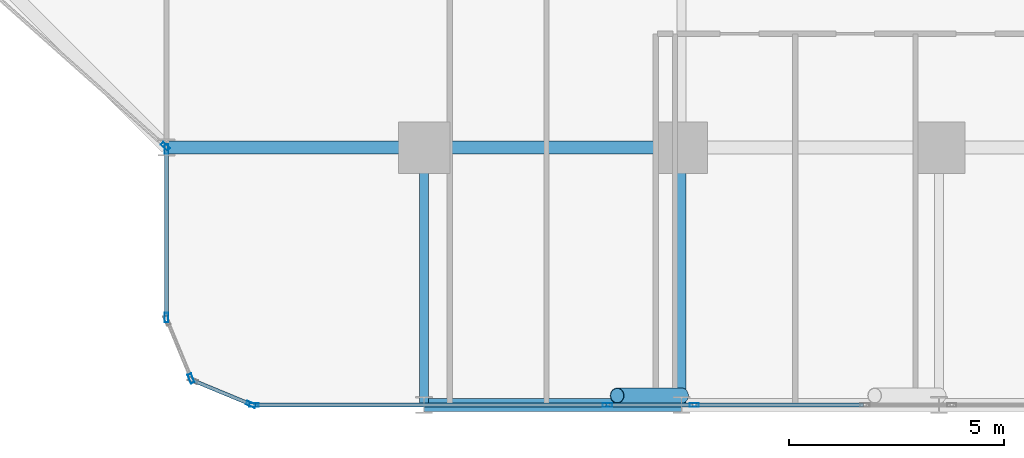
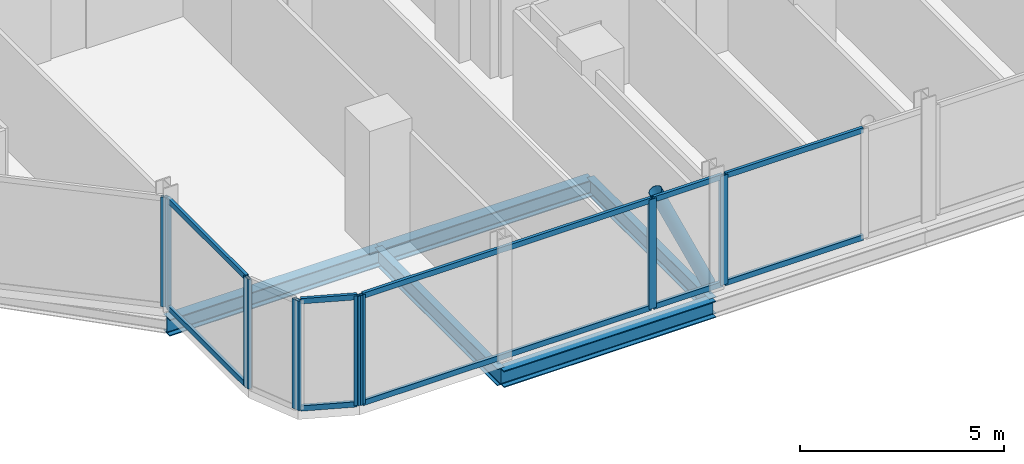
# One storey, part 4 of 33: 19 members, 5 beams, 7 elements without a shape of their own.
"""IFC4 building model written with IfcOpenShell, lengths in metres."""

from ifc_helpers import new_model, si_unit, direction, frame, origin, origin_2d, place, context, subcontext, project, spatial, hollow_rectangle, hollow_circle, i_section, extrude, material, layer, layer_set, material_profile, profile_set, type_object, element, aggregate, save


model = new_model("IFC4")

# Units and contexts
model_context = context("Model", 3, precision=1e-05, world=origin(), true_north=direction((0.0, 1.0)))
body_context = subcontext(model_context, "Body", "Model", "MODEL_VIEW")
ifc_project = project(units=[si_unit("LENGTHUNIT", "METRE"), si_unit("AREAUNIT", "SQUARE_METRE"), si_unit("VOLUMEUNIT", "CUBIC_METRE"), si_unit("PLANEANGLEUNIT", "RADIAN"), si_unit("MASSUNIT", "GRAM", prefix="KILO")], contexts=[model_context])

# Site, building, storey
site_placement = place(None, origin())
site = spatial("IfcSite", under=ifc_project, at=site_placement, CompositionType="ELEMENT")
building_placement = place(site_placement, origin())
building = spatial("IfcBuilding", under=site, at=building_placement, Name="Keshet Zoharim Tower", CompositionType="ELEMENT")
storey_placement = place(building_placement, frame((0.0, 0.0, 57.300048828125)))
storey = spatial("IfcBuildingStorey", under=building, at=storey_placement, Name="L13", CompositionType="ELEMENT", Elevation=57.300048828125)

# Beams
ifc_material_1 = material(Name="Steel S355", Category="steel")
ifc_material_profile_1 = material_profile(ifc_material_1, i_section(OverallWidth=0.199951171875, OverallDepth=0.5, WebThickness=0.01025390625, FlangeThickness=0.01611328125, FilletRadius=0.02099609375, at=origin_2d()), Name="IPE500")
ifc_profile_set_1 = profile_set([ifc_material_profile_1], Name="Steel S355")
beam_type_1 = type_object("IfcBeamType", Name="BM-PRI-IP500", PredefinedType="BEAM", material=ifc_profile_set_1)
for number, where, z_axis, x_axis, name in (
    (1, (27.0, 0.699951171875, -0.56494140625), (0.0, 1.0, 0.0), (-1.0, 0.0, 0.0), "L13 Primary Girder Y-004"),
    (2, (33.0, 0.699951171875, -0.56494140625), (0.0, 1.0, 0.0), (-1.0, 0.0, 0.0), "L13 Primary Girder Y-005"),
):
    element("IfcBeam", number, at=place(storey_placement, frame(where, z_axis=z_axis, x_axis=x_axis)), inside=storey, type_object=beam_type_1, Name=name, PredefinedType="BEAM", context=body_context, shape_type="SweptSolid", body=[
        extrude(i_section(OverallWidth=0.199951171875, OverallDepth=0.5, WebThickness=0.01025390625, FlangeThickness=0.01611328125, FilletRadius=0.02099609375, at=origin_2d()), origin(), (0.0, 0.0, 1.0), 6.0),
    ])
ifc_material_profile_2 = material_profile(ifc_material_1, i_section(OverallWidth=0.300048828125, OverallDepth=0.5, WebThickness=0.014404296875, FlangeThickness=0.028076171875, FilletRadius=0.027099609375, at=origin_2d()), Name="HEB500")
ifc_profile_set_2 = profile_set([ifc_material_profile_2], Name="Steel S355")
beam_type_2 = type_object("IfcBeamType", Name="BM-WEB-HB500", PredefinedType="BEAM", material=ifc_profile_set_2)
for number, where, z_axis, x_axis, name in (
    (3, (27.0, 0.699951171875, -0.56494140625), (1.0, 0.0, 0.0), (0.0, 1.0, 0.0), "L13 Primary Girder X-001"),
    (4, (21.0, 6.699951171875, -0.56494140625), (1.0, 0.0, 0.0), (0.0, 1.0, 0.0), "L13 Primary Girder X-006"),
    (5, (27.0, 6.699951171875, -0.56494140625), (1.0, 0.0, 0.0), (0.0, 1.0, 0.0), "L13 Primary Girder X-007"),
):
    element("IfcBeam", number, at=place(storey_placement, frame(where, z_axis=z_axis, x_axis=x_axis)), inside=storey, type_object=beam_type_2, Name=name, PredefinedType="BEAM", context=body_context, shape_type="SweptSolid", body=[
        extrude(i_section(OverallWidth=0.300048828125, OverallDepth=0.5, WebThickness=0.014404296875, FlangeThickness=0.028076171875, FilletRadius=0.027099609375, at=origin_2d()), origin(), (0.0, 0.0, 1.0), 6.0),
    ])

# Curtain wall, member
ifc_material_2 = material(Name="Aluminium 6063-T6", Category="aluminium")
ifc_layer = layer(ifc_material_2, 0.179931640625)
ifc_layer_set = layer_set([ifc_layer], Name="Aluminium 6063-T6")
curtain_wall_type = type_object("IfcCurtainWallType", Name="CW-SYS-01", PredefinedType="NOTDEFINED", material=ifc_layer_set)
curtain_wall_1_placement = place(storey_placement, origin())
curtain_wall_1 = element("IfcCurtainWall", 6, at=curtain_wall_1_placement, inside=storey, type_object=curtain_wall_type, Name="L13 Unitised Curtain Wall 01", PredefinedType="NOTDEFINED")
ifc_material_profile_3 = material_profile(ifc_material_2, hollow_rectangle(XDim=0.090087890625, YDim=0.219970703125, WallThickness=0.0048828125, at=origin_2d()), Name="MUL-90x220")
ifc_profile_set_3 = profile_set([ifc_material_profile_3], Name="Aluminium 6063-T6")
member_type_1 = type_object("IfcMemberType", Name="CWM-M22", PredefinedType="MULLION", material=ifc_profile_set_3)
member_1_placement = place(storey_placement, frame((20.973876953125, 6.72314453125, 0.0), z_axis=(0.0, 0.0, 1.0), x_axis=(-0.664363838836, -0.747409318679, 0.0)))
member_1 = element("IfcMember", 7, at=member_1_placement, type_object=member_type_1, Name="CW-01 mullion 1", PredefinedType="MULLION", context=body_context, shape_type="SweptSolid", body=[
    extrude(hollow_rectangle(XDim=0.090087890625, YDim=0.219970703125, WallThickness=0.0048828125, at=origin_2d()), origin(), (0.0, 0.0, 1.0), 3.280029296875),
])
aggregate(curtain_wall_1, [member_1])

curtain_wall_2_placement = place(storey_placement, origin())
curtain_wall_2 = element("IfcCurtainWall", 8, at=curtain_wall_2_placement, inside=storey, type_object=curtain_wall_type, Name="L13 Unitised Curtain Wall 26 Part 3", PredefinedType="NOTDEFINED")
member_2_placement = place(storey_placement, frame((33.296630859375, 0.699951171875, 0.0), z_axis=(0.0, 0.0, 1.0), x_axis=(0.0, -1.0, 0.0)))
member_2 = element("IfcMember", 9, at=member_2_placement, type_object=member_type_1, Name="CW-01 mullion 2", PredefinedType="MULLION", context=body_context, shape_type="SweptSolid", body=[
    extrude(hollow_rectangle(XDim=0.090087890625, YDim=0.219970703125, WallThickness=0.0048828125, at=origin_2d()), origin(), (0.0, 0.0, 1.0), 3.280029296875),
])

curtain_wall_3_placement = place(storey_placement, origin())
curtain_wall_3 = element("IfcCurtainWall", 10, at=curtain_wall_3_placement, inside=storey, type_object=curtain_wall_type, Name="L13 Unitised Curtain Wall 26 Part 4", PredefinedType="NOTDEFINED")
member_3_placement = place(storey_placement, frame((31.273193359375, 0.699951171875, 0.0), z_axis=(0.0, 0.0, 1.0), x_axis=(0.0, -1.0, 0.0)))
member_3 = element("IfcMember", 11, at=member_3_placement, type_object=member_type_1, Name="CW-01 mullion 2", PredefinedType="MULLION", context=body_context, shape_type="SweptSolid", body=[
    extrude(hollow_rectangle(XDim=0.090087890625, YDim=0.219970703125, WallThickness=0.0048828125, at=origin_2d()), origin(), (0.0, 0.0, 1.0), 3.280029296875),
])

curtain_wall_4_placement = place(storey_placement, origin())
curtain_wall_4 = element("IfcCurtainWall", 12, at=curtain_wall_4_placement, inside=storey, type_object=curtain_wall_type, Name="L13 Unitised Curtain Wall 26 Part 5", PredefinedType="NOTDEFINED")
member_4_placement = place(storey_placement, frame((23.034912109375, 0.699951171875, 0.0), z_axis=(0.0, 0.0, 1.0), x_axis=(0.0, -1.0, 0.0)))
member_4 = element("IfcMember", 13, at=member_4_placement, type_object=member_type_1, Name="CW-01 mullion 2", PredefinedType="MULLION", context=body_context, shape_type="SweptSolid", body=[
    extrude(hollow_rectangle(XDim=0.090087890625, YDim=0.219970703125, WallThickness=0.0048828125, at=origin_2d()), origin(), (0.0, 0.0, 1.0), 3.280029296875),
])

curtain_wall_5_placement = place(storey_placement, origin())
curtain_wall_5 = element("IfcCurtainWall", 14, at=curtain_wall_5_placement, inside=storey, type_object=curtain_wall_type, Name="L13 Unitised Curtain Wall 27", PredefinedType="NOTDEFINED")
member_5_placement = place(storey_placement, frame((22.9677734375, 0.71337890625, 0.0), z_axis=(0.0, 0.0, 1.0), x_axis=(-0.382851849847, -0.92380975372, 0.0)))
member_5 = element("IfcMember", 15, at=member_5_placement, type_object=member_type_1, Name="CW-01 mullion 1", PredefinedType="MULLION", context=body_context, shape_type="SweptSolid", body=[
    extrude(hollow_rectangle(XDim=0.090087890625, YDim=0.219970703125, WallThickness=0.0048828125, at=origin_2d()), origin(), (0.0, 0.0, 1.0), 3.280029296875),
])

curtain_wall_6_placement = place(storey_placement, origin())
curtain_wall_6 = element("IfcCurtainWall", 16, at=curtain_wall_6_placement, inside=storey, type_object=curtain_wall_type, Name="L13 Unitised Curtain Wall 28", PredefinedType="NOTDEFINED")
member_6_placement = place(storey_placement, frame((21.572509765625, 1.318359375, 0.0), z_axis=(0.0, 0.0, 1.0), x_axis=(-0.92380975372, -0.382851849847, 0.0)))
member_6 = element("IfcMember", 17, at=member_6_placement, type_object=member_type_1, Name="CW-01 mullion 1", PredefinedType="MULLION", context=body_context, shape_type="SweptSolid", body=[
    extrude(hollow_rectangle(XDim=0.090087890625, YDim=0.219970703125, WallThickness=0.0048828125, at=origin_2d()), origin(), (0.0, 0.0, 1.0), 3.280029296875),
])
aggregate(curtain_wall_6, [member_6])

# Curtain wall, members
curtain_wall_7_placement = place(storey_placement, origin())
curtain_wall_7 = element("IfcCurtainWall", 18, at=curtain_wall_7_placement, inside=storey, type_object=curtain_wall_type, Name="L13 Unitised Curtain Wall 29", PredefinedType="NOTDEFINED")
member_7_placement = place(storey_placement, frame((21.0, 2.735107421875, 0.0), z_axis=(0.0, 0.0, 1.0), x_axis=(-1.0, 0.0, 0.0)))
member_7 = element("IfcMember", 19, at=member_7_placement, type_object=member_type_1, Name="CW-01 mullion 1", PredefinedType="MULLION", context=body_context, shape_type="SweptSolid", body=[
    extrude(hollow_rectangle(XDim=0.090087890625, YDim=0.219970703125, WallThickness=0.0048828125, at=origin_2d()), origin(), (0.0, 0.0, 1.0), 3.280029296875),
])
member_8_placement = place(storey_placement, frame((21.0, 6.6650390625, 0.0), z_axis=(0.0, 0.0, 1.0), x_axis=(-1.0, 0.0, 0.0)))
member_8 = element("IfcMember", 20, at=member_8_placement, type_object=member_type_1, Name="CW-01 mullion 2", PredefinedType="MULLION", context=body_context, shape_type="SweptSolid", body=[
    extrude(hollow_rectangle(XDim=0.090087890625, YDim=0.219970703125, WallThickness=0.0048828125, at=origin_2d()), origin(), (0.0, 0.0, 1.0), 3.280029296875),
])

# Member
ifc_material_profile_4 = material_profile(ifc_material_2, hollow_rectangle(XDim=0.0849609375, YDim=0.159912109375, WallThickness=0.00439453125, at=origin_2d()), Name="TRN-85x160")
ifc_profile_set_4 = profile_set([ifc_material_profile_4], Name="Aluminium 6063-T6")
member_type_2 = type_object("IfcMemberType", Name="CWT-T16", PredefinedType="USERDEFINED", material=ifc_profile_set_4)
member_9_placement = place(storey_placement, frame((37.23828125, 0.699951171875, 0.034912109375), z_axis=(-1.0, 0.0, 0.0), x_axis=(0.0, -1.0, 0.0)))
member_9 = element("IfcMember", 21, at=member_9_placement, type_object=member_type_2, Name="CW-01 transom 1.1", ObjectType="TRANSOM", PredefinedType="USERDEFINED", context=body_context, shape_type="SweptSolid", body=[
    extrude(hollow_rectangle(XDim=0.0849609375, YDim=0.159912109375, WallThickness=0.00439453125, at=origin_2d()), origin(), (0.0, 0.0, 1.0), 3.906494140625),
])

member_10_placement = place(storey_placement, frame((37.23828125, 0.699951171875, 3.244873046875), z_axis=(-1.0, 0.0, 0.0), x_axis=(0.0, -1.0, 0.0)))
member_10 = element("IfcMember", 22, at=member_10_placement, type_object=member_type_2, Name="CW-01 transom 1.2", ObjectType="TRANSOM", PredefinedType="USERDEFINED", context=body_context, shape_type="SweptSolid", body=[
    extrude(hollow_rectangle(XDim=0.0849609375, YDim=0.159912109375, WallThickness=0.00439453125, at=origin_2d()), origin(), (0.0, 0.0, 1.0), 3.906494140625),
])

aggregate(curtain_wall_2, [member_2, member_9, member_10])

member_11_placement = place(storey_placement, frame((33.26171875, 0.699951171875, 0.034912109375), z_axis=(-1.0, 0.0, 0.0), x_axis=(0.0, -1.0, 0.0)))
member_11 = element("IfcMember", 23, at=member_11_placement, type_object=member_type_2, Name="CW-01 transom 1.1", ObjectType="TRANSOM", PredefinedType="USERDEFINED", context=body_context, shape_type="SweptSolid", body=[
    extrude(hollow_rectangle(XDim=0.0849609375, YDim=0.159912109375, WallThickness=0.00439453125, at=origin_2d()), origin(), (0.0, 0.0, 1.0), 1.953369140625),
])

member_12_placement = place(storey_placement, frame((33.26171875, 0.699951171875, 3.244873046875), z_axis=(-1.0, 0.0, 0.0), x_axis=(0.0, -1.0, 0.0)))
member_12 = element("IfcMember", 24, at=member_12_placement, type_object=member_type_2, Name="CW-01 transom 1.2", ObjectType="TRANSOM", PredefinedType="USERDEFINED", context=body_context, shape_type="SweptSolid", body=[
    extrude(hollow_rectangle(XDim=0.0849609375, YDim=0.159912109375, WallThickness=0.00439453125, at=origin_2d()), origin(), (0.0, 0.0, 1.0), 1.953369140625),
])

aggregate(curtain_wall_3, [member_3, member_11, member_12])

member_13_placement = place(storey_placement, frame((31.23828125, 0.699951171875, 0.034912109375), z_axis=(-1.0, 0.0, 0.0), x_axis=(0.0, -1.0, 0.0)))
member_13 = element("IfcMember", 25, at=member_13_placement, type_object=member_type_2, Name="CW-01 transom 1.1", ObjectType="TRANSOM", PredefinedType="USERDEFINED", context=body_context, shape_type="SweptSolid", body=[
    extrude(hollow_rectangle(XDim=0.0849609375, YDim=0.159912109375, WallThickness=0.00439453125, at=origin_2d()), origin(), (0.0, 0.0, 1.0), 8.168212890625),
])

member_14_placement = place(storey_placement, frame((31.23828125, 0.699951171875, 3.244873046875), z_axis=(-1.0, 0.0, 0.0), x_axis=(0.0, -1.0, 0.0)))
member_14 = element("IfcMember", 26, at=member_14_placement, type_object=member_type_2, Name="CW-01 transom 1.2", ObjectType="TRANSOM", PredefinedType="USERDEFINED", context=body_context, shape_type="SweptSolid", body=[
    extrude(hollow_rectangle(XDim=0.0849609375, YDim=0.159912109375, WallThickness=0.00439453125, at=origin_2d()), origin(), (0.0, 0.0, 1.0), 8.168212890625),
])

aggregate(curtain_wall_4, [member_4, member_13, member_14])

member_15_placement = place(storey_placement, frame((22.935302734375, 0.726806640625, 0.034912109375), z_axis=(-0.92379209995, 0.382894445076, 0.0), x_axis=(-0.382894445076, -0.92379209995, 0.0)))
member_15 = element("IfcMember", 27, at=member_15_placement, type_object=member_type_2, Name="CW-01 transom 1.1", ObjectType="TRANSOM", PredefinedType="USERDEFINED", context=body_context, shape_type="SweptSolid", body=[
    extrude(hollow_rectangle(XDim=0.0849609375, YDim=0.159912109375, WallThickness=0.00439453125, at=origin_2d()), origin(), (0.0, 0.0, 1.0), 1.390625),
])

member_16_placement = place(storey_placement, frame((22.935302734375, 0.726806640625, 3.244873046875), z_axis=(-0.92379209995, 0.382894445076, 0.0), x_axis=(-0.382894445076, -0.92379209995, 0.0)))
member_16 = element("IfcMember", 28, at=member_16_placement, type_object=member_type_2, Name="CW-01 transom 1.2", ObjectType="TRANSOM", PredefinedType="USERDEFINED", context=body_context, shape_type="SweptSolid", body=[
    extrude(hollow_rectangle(XDim=0.0849609375, YDim=0.159912109375, WallThickness=0.00439453125, at=origin_2d()), origin(), (0.0, 0.0, 1.0), 1.390625),
])

aggregate(curtain_wall_5, [member_5, member_15, member_16])

member_17_placement = place(storey_placement, frame((21.0, 2.77001953125, 0.034912109375), z_axis=(0.0, 1.0, 0.0), x_axis=(-1.0, 0.0, 0.0)))
member_17 = element("IfcMember", 29, at=member_17_placement, type_object=member_type_2, Name="CW-01 transom 1.1", ObjectType="TRANSOM", PredefinedType="USERDEFINED", context=body_context, shape_type="SweptSolid", body=[
    extrude(hollow_rectangle(XDim=0.0849609375, YDim=0.159912109375, WallThickness=0.00439453125, at=origin_2d()), origin(), (0.0, 0.0, 1.0), 3.85986328125),
])

member_18_placement = place(storey_placement, frame((21.0, 2.77001953125, 3.244873046875), z_axis=(0.0, 1.0, 0.0), x_axis=(-1.0, 0.0, 0.0)))
member_18 = element("IfcMember", 30, at=member_18_placement, type_object=member_type_2, Name="CW-01 transom 1.2", ObjectType="TRANSOM", PredefinedType="USERDEFINED", context=body_context, shape_type="SweptSolid", body=[
    extrude(hollow_rectangle(XDim=0.0849609375, YDim=0.159912109375, WallThickness=0.00439453125, at=origin_2d()), origin(), (0.0, 0.0, 1.0), 3.85986328125),
])

aggregate(curtain_wall_7, [member_7, member_8, member_17, member_18])

ifc_material_profile_5 = material_profile(ifc_material_1, hollow_circle(Radius=0.177734375, WallThickness=0.012451171875, at=origin_2d()), Name="CHS355x12.5")
ifc_profile_set_5 = profile_set([ifc_material_profile_5], Name="Steel S355")
member_type_3 = type_object("IfcMemberType", Name="MB-BR-C355", PredefinedType="BRACE", material=ifc_profile_set_5)
member_19_placement = place(storey_placement, frame((33.0, 0.919921875, 0.0), z_axis=(-0.415887731958, 0.0, 0.909415963356), x_axis=(0.0, -1.0, 0.0)))
element("IfcMember", 31, at=member_19_placement, inside=storey, type_object=member_type_3, Name="L13 Perimeter Tube Brace 02", PredefinedType="BRACE", context=body_context, shape_type="SweptSolid", body=[
    extrude(hollow_circle(Radius=0.177734375, WallThickness=0.012451171875, at=origin_2d()), origin(), (0.0, 0.0, 1.0), 3.606689453125),
])

save(model, "model.ifc")
